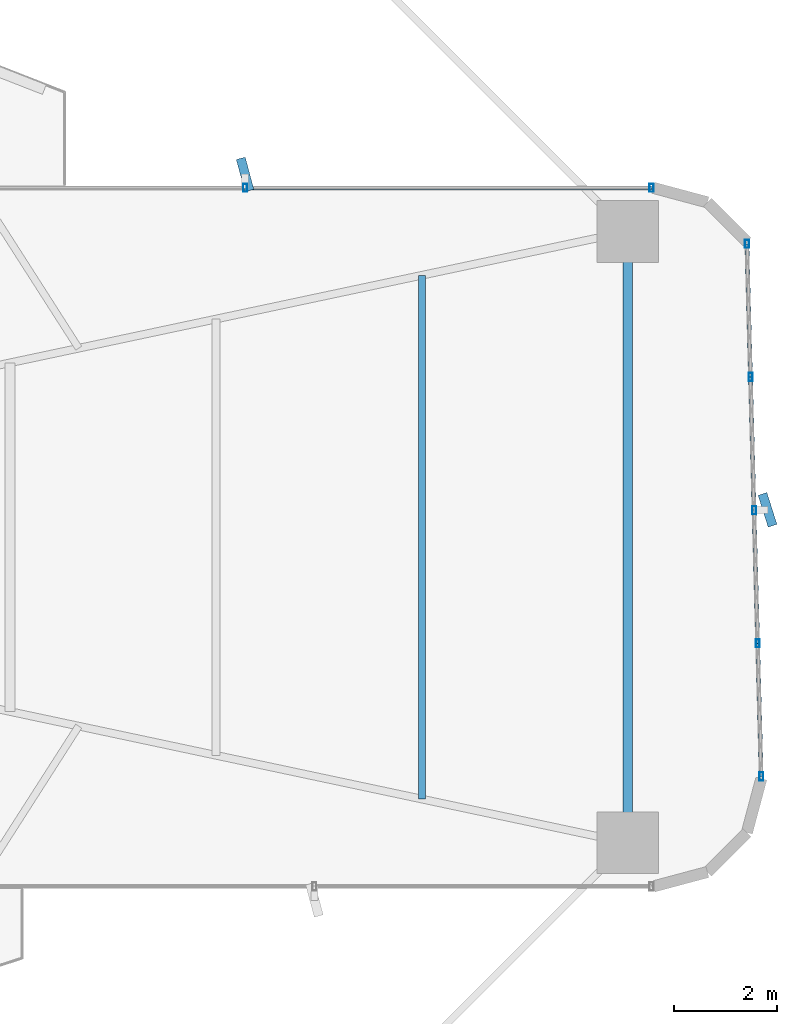
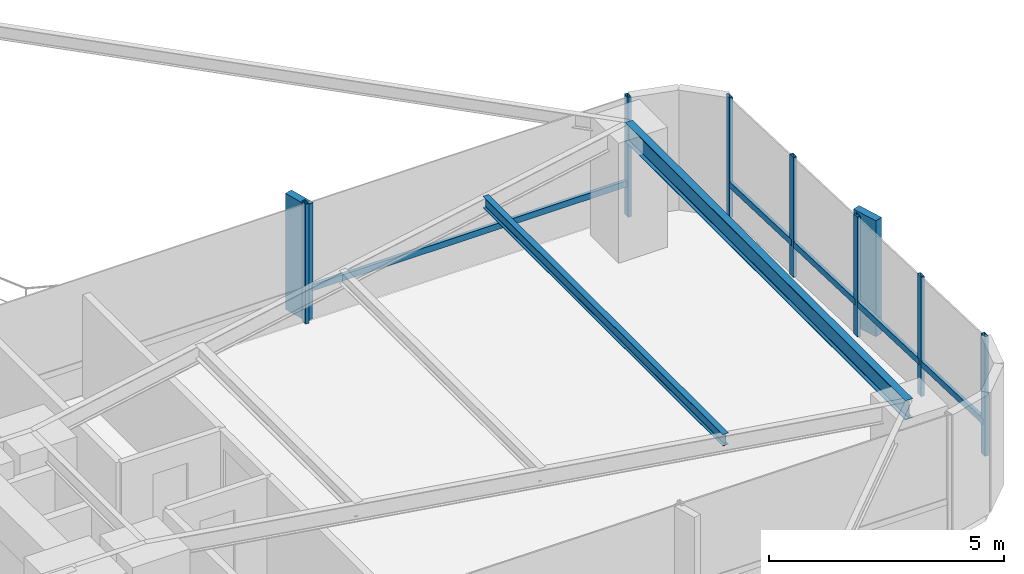
# One storey, part 16 of 25: 14 members, 2 beams, 2 elements without a shape of their own.
"""IFC4 building model written with IfcOpenShell, lengths in metres."""

from ifc_helpers import new_model, si_unit, direction, frame, origin, origin_2d, place, context, subcontext, project, spatial, rectangle, hollow_rectangle, i_section, extrude, source, transform, mapped, material, material_profile, profile_set, type_object, element, aggregate, save


model = new_model("IFC4")

# Units and contexts
model_context = context("Model", 3, precision=1e-05, world=origin(), true_north=direction((0.0, 1.0)))
body_context = subcontext(model_context, "Body", "Model", "MODEL_VIEW")
ifc_project = project(units=[si_unit("LENGTHUNIT", "METRE"), si_unit("AREAUNIT", "SQUARE_METRE"), si_unit("VOLUMEUNIT", "CUBIC_METRE"), si_unit("PLANEANGLEUNIT", "RADIAN"), si_unit("MASSUNIT", "GRAM", prefix="KILO")], contexts=[model_context])

# Site, building, storey
site_placement = place(None, origin())
site = spatial("IfcSite", under=ifc_project, at=site_placement, CompositionType="ELEMENT")
building_placement = place(site_placement, origin())
building = spatial("IfcBuilding", under=site, at=building_placement, Name="Sahyath Konkavel Grand Hotel", CompositionType="ELEMENT")
storey_placement = place(building_placement, frame((0.0, 0.0, 67.800048828125)))
storey = spatial("IfcBuildingStorey", under=building, at=storey_placement, Name="L18", CompositionType="ELEMENT", Elevation=67.800048828125)

# Beams
ifc_material_1 = material(Name="Steel E350", Category="steel")
ifc_material_profile_1 = material_profile(ifc_material_1, i_section(OverallWidth=0.179931640625, OverallDepth=0.5, WebThickness=0.01025390625, FlangeThickness=0.01708984375, FilletRadius=0.01708984375, at=origin_2d()), Name="ISMB 500")
ifc_profile_set_1 = profile_set([ifc_material_profile_1], Name="Steel E350")
beam_type_1 = type_object("IfcBeamType", Name="BM-ISMB500", PredefinedType="BEAM", material=ifc_profile_set_1)
shared_shape_1 = source(origin(), body_context, "Body", "SweptSolid", [
    extrude(i_section(OverallWidth=0.179931640625, OverallDepth=0.5, WebThickness=0.01025390625, FlangeThickness=0.01708984375, FilletRadius=0.01708984375, at=origin_2d()), origin(), (0.0, 0.0, 1.0), 11.89990234375),
])
beam_1_placement = place(storey_placement, frame((22.199951171875, -5.949951171875, 2.85986328125), z_axis=(0.0, 1.0, 0.0), x_axis=(-1.0, 0.0, 0.0)))
element("IfcBeam", 1, at=beam_1_placement, inside=storey, type_object=beam_type_1, Name="L18 Wing Tip Edge Beam E", PredefinedType="BEAM", context=body_context, shape_type="MappedRepresentation", body=[
    mapped(shared_shape_1, transform((0.0, 0.0, 0.0), scale=1.0)),
])
ifc_material_profile_2 = material_profile(ifc_material_1, i_section(OverallWidth=0.139892578125, OverallDepth=0.300048828125, WebThickness=0.0078125, FlangeThickness=0.01318359375, FilletRadius=0.013916015625, at=origin_2d()), Name="ISMB 300")
ifc_profile_set_2 = profile_set([ifc_material_profile_2], Name="Steel E350")
beam_type_2 = type_object("IfcBeamType", Name="BM-ISMB300", PredefinedType="BEAM", material=ifc_profile_set_2)
shared_shape_2 = source(origin(), body_context, "Body", "SweptSolid", [
    extrude(i_section(OverallWidth=0.139892578125, OverallDepth=0.300048828125, WebThickness=0.0078125, FlangeThickness=0.01318359375, FilletRadius=0.013916015625, at=origin_2d()), origin(), (0.0, 0.0, 1.0), 10.19580078125),
])
beam_2_placement = place(storey_placement, frame((18.19189453125, -5.097900390625, 2.9599609375), z_axis=(0.0, 1.0, 0.0), x_axis=(-1.0, 0.0, 0.0)))
element("IfcBeam", 2, at=beam_2_placement, inside=storey, type_object=beam_type_2, Name="L18 Secondary Floor Beam E-3", PredefinedType="BEAM", context=body_context, shape_type="MappedRepresentation", body=[
    mapped(shared_shape_2, transform((0.0, 0.0, 0.0), scale=1.0)),
])

# Curtain wall, members
ifc_material_2 = material(Name="Anodised Bronze Aluminium & Low-E Glazing", Category="aluminium")
curtain_wall_type = type_object("IfcCurtainWallType", Name="CW-ZONE1", PredefinedType="NOTDEFINED", material=ifc_material_2)
curtain_wall_1_placement = place(storey_placement, origin())
curtain_wall_1 = element("IfcCurtainWall", 3, at=curtain_wall_1_placement, inside=storey, type_object=curtain_wall_type, Name="L18 Unitised Curtain Wall F4", PredefinedType="NOTDEFINED")
ifc_material_3 = material(Name="Anodised Bronze Aluminium", Category="aluminium")
ifc_material_profile_3 = material_profile(ifc_material_3, hollow_rectangle(XDim=0.080078125, YDim=0.159912109375, WallThickness=0.006103515625, at=origin_2d()), Name="RHS 160x80x6")
ifc_profile_set_3 = profile_set([ifc_material_profile_3], Name="Anodised Bronze Aluminium")
member_type_1 = type_object("IfcMemberType", Name="CW-MUL-160", PredefinedType="MULLION", material=ifc_profile_set_3)
shared_shape_3 = source(origin(), body_context, "Body", "SweptSolid", [
    extrude(hollow_rectangle(XDim=0.080078125, YDim=0.159912109375, WallThickness=0.006103515625, at=origin_2d()), origin(), (0.0, 0.0, 1.0), 3.10986328125),
])
member_1_placement = place(storey_placement, frame((24.798828125, -4.659912109375, 0.0), z_axis=(0.0, 0.0, 1.0), x_axis=(1.0, 0.0, 0.0)))
member_1 = element("IfcMember", 4, at=member_1_placement, type_object=member_type_1, Name="L18 Curtain Wall Mullion F4-0", PredefinedType="MULLION", context=body_context, shape_type="MappedRepresentation", body=[
    mapped(shared_shape_3, transform((0.0, 0.0, 0.0), scale=1.0)),
])
member_2_placement = place(storey_placement, frame((24.72900390625, -2.0673828125, 0.0), z_axis=(0.0, 0.0, 1.0), x_axis=(1.0, 0.0, 0.0)))
member_2 = element("IfcMember", 5, at=member_2_placement, type_object=member_type_1, Name="L18 Curtain Wall Mullion F4-1", PredefinedType="MULLION", context=body_context, shape_type="MappedRepresentation", body=[
    mapped(shared_shape_3, transform((0.0, 0.0, 0.0), scale=1.0)),
])
member_3_placement = place(storey_placement, frame((24.6591796875, 0.52490234375, 0.0), z_axis=(0.0, 0.0, 1.0), x_axis=(1.0, 0.0, 0.0)))
member_3 = element("IfcMember", 6, at=member_3_placement, type_object=member_type_1, Name="L18 Curtain Wall Mullion F4-2", PredefinedType="MULLION", context=body_context, shape_type="MappedRepresentation", body=[
    mapped(shared_shape_3, transform((0.0, 0.0, 0.0), scale=1.0)),
])
member_4_placement = place(storey_placement, frame((24.589599609375, 3.117431640625, 0.0), z_axis=(0.0, 0.0, 1.0), x_axis=(1.0, 0.0, 0.0)))
member_4 = element("IfcMember", 7, at=member_4_placement, type_object=member_type_1, Name="L18 Curtain Wall Mullion F4-3", PredefinedType="MULLION", context=body_context, shape_type="MappedRepresentation", body=[
    mapped(shared_shape_3, transform((0.0, 0.0, 0.0), scale=1.0)),
])
member_5_placement = place(storey_placement, frame((24.519775390625, 5.7099609375, 0.0), z_axis=(0.0, 0.0, 1.0), x_axis=(1.0, 0.0, 0.0)))
member_5 = element("IfcMember", 8, at=member_5_placement, type_object=member_type_1, Name="L18 Curtain Wall Mullion F4-4", PredefinedType="MULLION", context=body_context, shape_type="MappedRepresentation", body=[
    mapped(shared_shape_3, transform((0.0, 0.0, 0.0), scale=1.0)),
])

curtain_wall_2_placement = place(storey_placement, origin())
curtain_wall_2 = element("IfcCurtainWall", 9, at=curtain_wall_2_placement, inside=storey, type_object=curtain_wall_type, Name="L18 Unitised Curtain Wall F7", PredefinedType="NOTDEFINED")
member_6_placement = place(storey_placement, frame((22.659912109375, 6.800048828125, 0.0), z_axis=(0.0, 0.0, 1.0), x_axis=(1.0, 0.0, 0.0)))
member_6 = element("IfcMember", 10, at=member_6_placement, type_object=member_type_1, Name="L18 Curtain Wall Mullion F7-0", PredefinedType="MULLION", context=body_context, shape_type="MappedRepresentation", body=[
    mapped(shared_shape_3, transform((0.0, 0.0, 0.0), scale=1.0)),
])
member_7_placement = place(storey_placement, frame((14.75, 6.800048828125, 0.0), z_axis=(0.0, 0.0, 1.0), x_axis=(1.0, 0.0, 0.0)))
member_7 = element("IfcMember", 11, at=member_7_placement, type_object=member_type_1, Name="L18 Curtain Wall Mullion F7-1", PredefinedType="MULLION", context=body_context, shape_type="MappedRepresentation", body=[
    mapped(shared_shape_3, transform((0.0, 0.0, 0.0), scale=1.0)),
])

# Member
ifc_material_4 = material(Name="Warm Buff Sandstone Cladding on Concrete C50/60", Category="masonry")
ifc_material_profile_4 = material_profile(ifc_material_4, rectangle(XDim=0.179931640625, YDim=0.64990234375, at=origin_2d()), Name="FIN 180x650")
ifc_profile_set_4 = profile_set([ifc_material_profile_4], Name="Warm Buff Sandstone Cladding on Concrete C50/60")
member_type_2 = type_object("IfcMemberType", Name="FIN-SANDSTONE-650", PredefinedType="MULLION", material=ifc_profile_set_4)
shared_shape_4 = source(origin(), body_context, "Body", "SweptSolid", [
    extrude(rectangle(XDim=0.179931640625, YDim=0.64990234375, at=origin_2d()), origin(), (0.0, 0.0, 1.0), 3.010009765625),
])
member_8_placement = place(storey_placement, frame((24.919189453125, 0.531982421875, 0.050048828125), z_axis=(0.0, 0.0, 1.0), x_axis=(0.953032216634, 0.302868938746, 0.0)))
member_8 = element("IfcMember", 12, at=member_8_placement, type_object=member_type_2, Name="L18 Sandstone Vertical Solar Fin FIN F4-2", PredefinedType="MULLION", context=body_context, shape_type="MappedRepresentation", body=[
    mapped(shared_shape_4, transform((0.0, 0.0, 0.0), scale=1.0)),
])

member_9_placement = place(storey_placement, frame((14.75, 7.06005859375, 0.050048828125), z_axis=(0.0, 0.0, 1.0), x_axis=(0.965744901133, 0.259493325415, 0.0)))
member_9 = element("IfcMember", 13, at=member_9_placement, type_object=member_type_2, Name="L18 Sandstone Vertical Solar Fin FIN F7-1", PredefinedType="MULLION", context=body_context, shape_type="MappedRepresentation", body=[
    mapped(shared_shape_4, transform((0.0, 0.0, 0.0), scale=1.0)),
])

ifc_material_profile_5 = material_profile(ifc_material_3, hollow_rectangle(XDim=0.080078125, YDim=0.159912109375, WallThickness=0.006103515625, at=origin_2d()), Name="RHS 160x80x6")
ifc_profile_set_5 = profile_set([ifc_material_profile_5], Name="Anodised Bronze Aluminium")
member_type_3 = type_object("IfcMemberType", Name="CW-TRN-160", PredefinedType="USERDEFINED", material=ifc_profile_set_5)
shared_shape_5 = source(origin(), body_context, "Body", "SweptSolid", [
    extrude(hollow_rectangle(XDim=0.080078125, YDim=0.159912109375, WallThickness=0.006103515625, at=origin_2d()), origin(), (0.0, 0.0, 1.0), 7.909912109375),
])
member_10_placement = place(storey_placement, frame((22.659912109375, 6.800048828125, 0.849853515625), z_axis=(-1.0, 0.0, 0.0), x_axis=(0.0, -1.0, 0.0)))
member_10 = element("IfcMember", 14, at=member_10_placement, type_object=member_type_3, Name="L18 Curtain Wall Transom F7-0-spandrel", ObjectType="TRANSOM", PredefinedType="USERDEFINED", context=body_context, shape_type="MappedRepresentation", body=[
    mapped(shared_shape_5, transform((0.0, 0.0, 0.0), scale=1.0)),
])

aggregate(curtain_wall_2, [member_6, member_7, member_9, member_10])

shared_shape_6 = source(origin(), body_context, "Body", "SweptSolid", [
    extrude(hollow_rectangle(XDim=0.080078125, YDim=0.159912109375, WallThickness=0.006103515625, at=origin_2d()), origin(), (0.0, 0.0, 1.0), 2.593505859375),
])
member_11_placement = place(storey_placement, frame((24.798828125, -4.659912109375, 0.849853515625), z_axis=(-0.026923093252, 0.999637507825, 0.0), x_axis=(-0.999637507825, -0.026923093252, 0.0)))
member_11 = element("IfcMember", 15, at=member_11_placement, type_object=member_type_3, Name="L18 Curtain Wall Transom F4-0-spandrel", ObjectType="TRANSOM", PredefinedType="USERDEFINED", context=body_context, shape_type="MappedRepresentation", body=[
    mapped(shared_shape_6, transform((0.0, 0.0, 0.0), scale=1.0)),
])

member_12_placement = place(storey_placement, frame((24.6591796875, 0.52490234375, 0.849853515625), z_axis=(-0.02682902444, 0.999640036937, 0.0), x_axis=(-0.999640036937, -0.02682902444, 0.0)))
member_12 = element("IfcMember", 16, at=member_12_placement, type_object=member_type_3, Name="L18 Curtain Wall Transom F4-2-spandrel", ObjectType="TRANSOM", PredefinedType="USERDEFINED", context=body_context, shape_type="MappedRepresentation", body=[
    mapped(shared_shape_6, transform((0.0, 0.0, 0.0), scale=1.0)),
])

member_13_placement = place(storey_placement, frame((24.589599609375, 3.117431640625, 0.849853515625), z_axis=(-0.026923093252, 0.999637507825, 0.0), x_axis=(-0.999637507825, -0.026923093252, 0.0)))
member_13 = element("IfcMember", 17, at=member_13_placement, type_object=member_type_3, Name="L18 Curtain Wall Transom F4-3-spandrel", ObjectType="TRANSOM", PredefinedType="USERDEFINED", context=body_context, shape_type="MappedRepresentation", body=[
    mapped(shared_shape_6, transform((0.0, 0.0, 0.0), scale=1.0)),
])

shared_shape_7 = source(origin(), body_context, "Body", "SweptSolid", [
    extrude(hollow_rectangle(XDim=0.080078125, YDim=0.159912109375, WallThickness=0.006103515625, at=origin_2d()), origin(), (0.0, 0.0, 1.0), 2.59326171875),
])
member_14_placement = place(storey_placement, frame((24.72900390625, -2.0673828125, 0.849853515625), z_axis=(-0.026925627022, 0.99963743958, 0.0), x_axis=(-0.99963743958, -0.026925627022, 0.0)))
member_14 = element("IfcMember", 18, at=member_14_placement, type_object=member_type_3, Name="L18 Curtain Wall Transom F4-1-spandrel", ObjectType="TRANSOM", PredefinedType="USERDEFINED", context=body_context, shape_type="MappedRepresentation", body=[
    mapped(shared_shape_7, transform((0.0, 0.0, 0.0), scale=1.0)),
])

aggregate(curtain_wall_1, [member_1, member_2, member_3, member_8, member_4, member_5, member_11, member_14, member_12, member_13])

save(model, "model.ifc")
